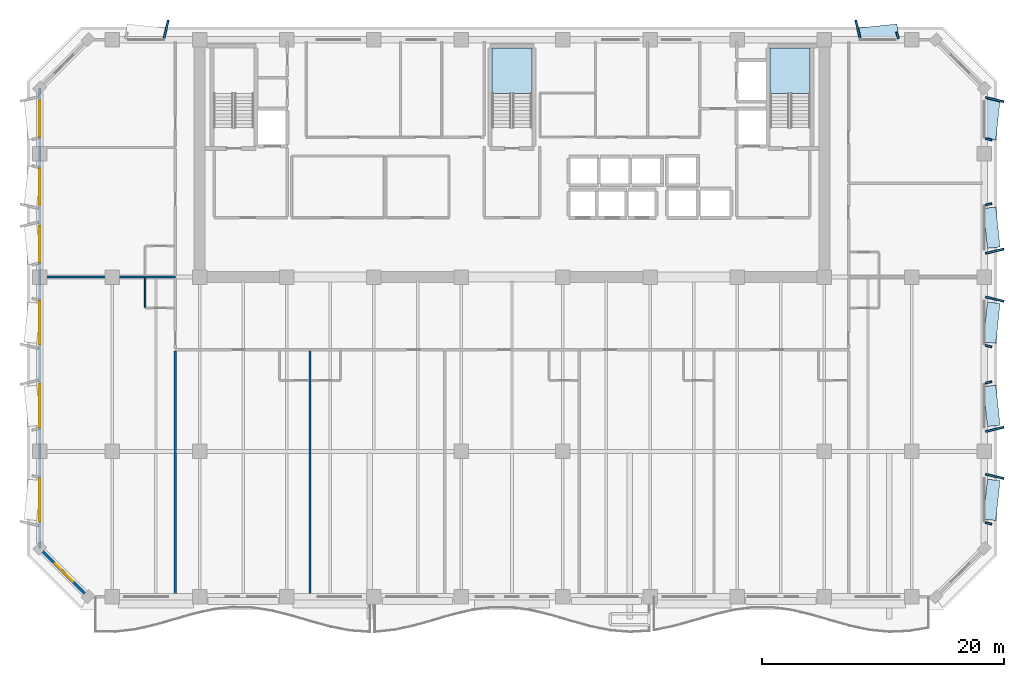
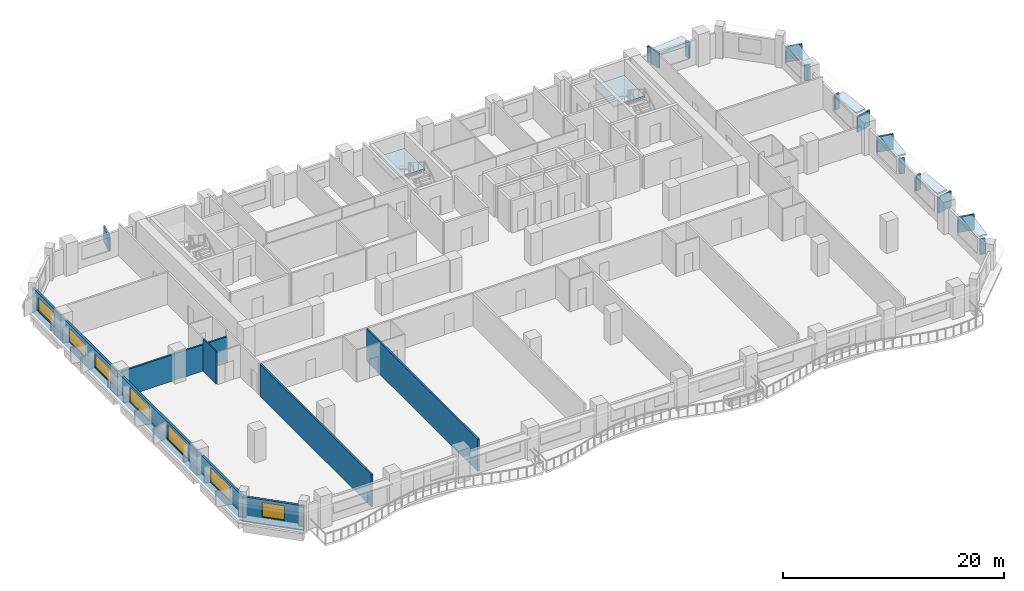
# One storey, part 3 of 14: 19 plates, 7 windows, 6 walls, 2 slabs, 7 openings, 2 elements without a shape of their own.
"""IFC4 building model written with IfcOpenShell, lengths in metres."""

from ifc_helpers import new_model, si_unit, direction, frame, frame_2d, origin, origin_2d, place, context, subcontext, project, spatial, polyline, rectangle, outline, extrude, material, layer, layer_set, type_object, element, fill, aggregate, save


model = new_model("IFC4")

# Units and contexts
model_context = context("Model", 3, precision=1e-05, world=origin(), true_north=direction((0.0, 1.0)))
body_context = subcontext(model_context, "Body", "Model", "MODEL_VIEW")
ifc_project = project(units=[si_unit("LENGTHUNIT", "METRE"), si_unit("AREAUNIT", "SQUARE_METRE"), si_unit("VOLUMEUNIT", "CUBIC_METRE"), si_unit("PLANEANGLEUNIT", "RADIAN"), si_unit("MASSUNIT", "GRAM", prefix="KILO")], contexts=[model_context])

# Site, building, storey
site_placement = place(None, origin())
site = spatial("IfcSite", under=ifc_project, at=site_placement, CompositionType="ELEMENT")
building_placement = place(site_placement, origin())
building = spatial("IfcBuilding", under=site, at=building_placement, Name="Kaelvorn Grand Hotel", CompositionType="ELEMENT")
storey_placement = place(building_placement, frame((0.0, 0.0, 205.35009765625)))
storey = spatial("IfcBuildingStorey", under=building, at=storey_placement, Name="L50", CompositionType="ELEMENT", Elevation=205.35009765625)

# Plates
ifc_material_1 = material(Name="Precast concrete C45/55", Category="concrete")
ifc_layer_1 = layer(ifc_material_1, 0.159912109375)
ifc_layer_set_1 = layer_set([ifc_layer_1], Name="Precast concrete C45/55")
plate_type_1 = type_object("IfcPlateType", Name="PL-FRAME-DEEP-1550", PredefinedType="USERDEFINED", material=ifc_layer_set_1)
for number, where, z_axis, x_axis, name in (
    (1, (81.85498046875, 12.93994140625, 0.81494140625), (0.0, 0.0, 1.0), (0.233445363856, 0.972369920398, 0.0), "L50 Tilted Precast Window Frame Fin R-E01"),
    (2, (81.85498046875, 16.824951171875, 0.81494140625), (0.0, 0.0, 1.0), (-0.233445363856, 0.972369920398, 0.0), "L50 Tilted Precast Window Frame Fin L-E02"),
    (3, (81.85498046875, 27.574951171875, 0.81494140625), (0.0, 0.0, 1.0), (0.233445363856, 0.972369920398, 0.0), "L50 Tilted Precast Window Frame Fin R-E03"),
    (4, (81.85498046875, 31.534912109375, 0.81494140625), (0.0, 0.0, 1.0), (-0.233445363856, 0.972369920398, 0.0), "L50 Tilted Precast Window Frame Fin L-E04"),
    (5, (81.85498046875, 44.054931640625, 0.73974609375), (0.0, 0.0, 1.0), (0.233445363856, 0.972369920398, 0.0), "L50 Tilted Precast Window Frame Fin R-E05"),
    (6, (13.43994140625, 49.85498046875, 0.73974609375), (0.0, 0.0, 1.0), (0.972369920398, -0.233445363856, 0.0), "L50 Tilted Precast Window Frame Fin R-N01"),
    (7, (70.56005859375, 49.85498046875, 0.73974609375), (0.0, 0.0, 1.0), (0.972369920398, 0.233445363856, 0.0), "L50 Tilted Precast Window Frame Fin L-N02"),
):
    element("IfcPlate", number, at=place(storey_placement, frame(where, z_axis=z_axis, x_axis=x_axis)), inside=storey, type_object=plate_type_1, Name=name, ObjectType="FLANGE_PLATE", PredefinedType="USERDEFINED", context=body_context, shape_type="SweptSolid", body=[
        extrude(rectangle(XDim=0.159912109375, YDim=1.550048828125, at=origin_2d()), origin(), (0.0, 0.0, 1.0), 1.719970703125),
    ])
ifc_layer_2 = layer(ifc_material_1, 0.159912109375)
ifc_layer_set_2 = layer_set([ifc_layer_2], Name="Precast concrete C45/55")
plate_type_2 = type_object("IfcPlateType", Name="PL-FRAME-HEAD-1050", PredefinedType="USERDEFINED", material=ifc_layer_set_2)
for number, where, z_axis, x_axis, name in (
    (8, (81.60498046875, 11.0, 2.5), (0.0, 0.0, 1.0), (0.105830199459, 0.994384215926, 0.0), "L50 Precast Window Frame Head Hood H-E01"),
    (9, (81.60498046875, 18.764892578125, 2.5), (0.0, 0.0, 1.0), (-0.105830199459, 0.994384215926, 0.0), "L50 Precast Window Frame Head Hood H-E02"),
    (10, (81.60498046875, 25.635009765625, 2.5), (0.0, 0.0, 1.0), (0.105830199459, 0.994384215926, 0.0), "L50 Precast Window Frame Head Hood H-E03"),
    (11, (81.60498046875, 33.47509765625, 2.5), (0.0, 0.0, 1.0), (-0.105830199459, 0.994384215926, 0.0), "L50 Precast Window Frame Head Hood H-E04"),
    (12, (81.60498046875, 42.4150390625, 2.35009765625), (0.0, 0.0, 1.0), (0.105830199459, 0.994384215926, 0.0), "L50 Precast Window Frame Head Hood H-E05"),
    (13, (72.199951171875, 49.60498046875, 2.35009765625), (0.0, 0.0, 1.0), (0.994384215926, 0.105830199459, 0.0), "L50 Precast Window Frame Head Hood H-N02"),
):
    element("IfcPlate", number, at=place(storey_placement, frame(where, z_axis=z_axis, x_axis=x_axis)), inside=storey, type_object=plate_type_2, Name=name, ObjectType="FLANGE_PLATE", PredefinedType="USERDEFINED", context=body_context, shape_type="SweptSolid", body=[
        extrude(rectangle(XDim=3.320068359375, YDim=1.050048828125, at=origin_2d()), origin(), (0.0, 0.0, 1.0), 0.159912109375),
    ])
ifc_layer_3 = layer(ifc_material_1, 0.159912109375)
ifc_layer_set_3 = layer_set([ifc_layer_3], Name="Precast concrete C45/55")
plate_type_3 = type_object("IfcPlateType", Name="PL-FRAME-SHAL-550", PredefinedType="USERDEFINED", material=ifc_layer_set_3)
for number, where, z_axis, x_axis, name in (
    (14, (81.35498046875, 9.06005859375, 0.81494140625), (0.0, 0.0, 1.0), (0.233445363856, 0.972369920398, 0.0), "L50 Tilted Precast Window Frame Fin L-E01"),
    (15, (81.35498046875, 20.705078125, 0.81494140625), (0.0, 0.0, 1.0), (-0.233445363856, 0.972369920398, 0.0), "L50 Tilted Precast Window Frame Fin R-E02"),
    (16, (81.35498046875, 23.695068359375, 0.81494140625), (0.0, 0.0, 1.0), (0.233445363856, 0.972369920398, 0.0), "L50 Tilted Precast Window Frame Fin L-E03"),
    (17, (81.35498046875, 35.4150390625, 0.81494140625), (0.0, 0.0, 1.0), (-0.233445363856, 0.972369920398, 0.0), "L50 Tilted Precast Window Frame Fin R-E04"),
    (18, (81.35498046875, 40.77490234375, 0.73974609375), (0.0, 0.0, 1.0), (0.233445363856, 0.972369920398, 0.0), "L50 Tilted Precast Window Frame Fin L-E05"),
    (19, (73.840087890625, 49.35498046875, 0.73974609375), (0.0, 0.0, 1.0), (0.972369920398, 0.233445363856, 0.0), "L50 Tilted Precast Window Frame Fin R-N02"),
):
    element("IfcPlate", number, at=place(storey_placement, frame(where, z_axis=z_axis, x_axis=x_axis)), inside=storey, type_object=plate_type_3, Name=name, ObjectType="FLANGE_PLATE", PredefinedType="USERDEFINED", context=body_context, shape_type="SweptSolid", body=[
        extrude(rectangle(XDim=0.159912109375, YDim=0.550048828125, at=origin_2d()), origin(), (0.0, 0.0, 1.0), 1.719970703125),
    ])

# Stair, slab
ifc_material_2 = material(Name="Concrete C40/50", Category="concrete")
stair_type = type_object("IfcStairType", Name="STR-DOG-1560-R08", PredefinedType="HALF_TURN_STAIR", material=ifc_material_2)
stair_1_placement = place(storey_placement, origin())
stair_1 = element("IfcStair", 20, at=stair_1_placement, inside=storey, type_object=stair_type, Name="L50 Central Core Exit Stair ST2", PredefinedType="HALF_TURN_STAIR")
ifc_layer_4 = layer(ifc_material_2, 0.199951171875)
ifc_layer_set_4 = layer_set([ifc_layer_4], Name="Concrete C40/50")
slab_type = type_object("IfcSlabType", Name="SLB-LAND-200-C40", PredefinedType="LANDING", material=ifc_layer_set_4)
slab_1_placement = place(storey_placement, frame((0.0, 0.0, 1.699951171875)))
slab_1 = element("IfcSlab", 21, at=slab_1_placement, type_object=slab_type, Name="ST2 landing 1", PredefinedType="LANDING", context=body_context, shape_type="SweptSolid", body=[
    extrude(outline(polyline([(43.639892578125, 44.56005859375), (43.639892578125, 48.300048828125), (40.360107421875, 48.300048828125), (40.360107421875, 44.56005859375), (43.639892578125, 44.56005859375)])), origin(), (0.0, 0.0, 1.0), 0.199951171875),
])
aggregate(stair_1, [slab_1])

stair_2_placement = place(storey_placement, origin())
stair_2 = element("IfcStair", 22, at=stair_2_placement, inside=storey, type_object=stair_type, Name="L50 East Core Exit Stair ST3", PredefinedType="HALF_TURN_STAIR")
slab_2_placement = place(storey_placement, frame((0.0, 0.0, 1.699951171875)))
slab_2 = element("IfcSlab", 23, at=slab_2_placement, type_object=slab_type, Name="ST3 landing 1", PredefinedType="LANDING", context=body_context, shape_type="SweptSolid", body=[
    extrude(outline(polyline([(66.60009765625, 44.56005859375), (66.60009765625, 48.300048828125), (63.320068359375, 48.300048828125), (63.320068359375, 44.56005859375), (66.60009765625, 44.56005859375)])), origin(), (0.0, 0.0, 1.0), 0.199951171875),
])
aggregate(stair_2, [slab_2])

# Wall, openings, windows
ifc_layer_5 = layer(ifc_material_2, 0.239990234375)
ifc_layer_set_5 = layer_set([ifc_layer_5], Name="Concrete C40/50")
wall_type_1 = type_object("IfcWallType", Name="WL-EXT-240-C40", PredefinedType="SOLIDWALL", material=ifc_layer_set_5)
wall_1_placement = place(storey_placement, frame((3.0, 45.0, 0.0), z_axis=(0.0, 0.0, 1.0), x_axis=(0.0, -1.0, 0.0)))
wall_1 = element("IfcWall", 24, at=wall_1_placement, inside=storey, type_object=wall_type_1, Name="L50 Exterior Architectural Concrete Wall 07", PredefinedType="SOLIDWALL", context=body_context, shape_type="SweptSolid", body=[
    extrude(rectangle(XDim=38.0, YDim=0.239990234375, at=frame_2d((19.0, 0.0))), origin(), (0.0, 0.0, 1.0), 2.760009765625),
])
opening_1_placement = place(wall_1_placement, frame((32.199951171875, 0.0, 0.85009765625)))
opening_1 = element("IfcOpeningElement", 25, at=opening_1_placement, cuts=wall_1, Name="Opening W3", PredefinedType="OPENING", context=body_context, shape_type="SweptSolid", body=[
    extrude(rectangle(XDim=3.60009765625, YDim=1.64990234375, at=frame_2d((1.800048828125, 0.824951171875))), frame((0.0, 0.1298828125, 0.0), z_axis=(0.0, -1.0, 0.0), x_axis=(1.0, 0.0, 0.0)), (0.0, 0.0, 1.0), 0.260009765625),
])
opening_2_placement = place(wall_1_placement, frame((24.43505859375, 0.0, 0.85009765625)))
opening_2 = element("IfcOpeningElement", 26, at=opening_2_placement, cuts=wall_1, Name="Opening W3", PredefinedType="OPENING", context=body_context, shape_type="SweptSolid", body=[
    extrude(rectangle(XDim=3.60009765625, YDim=1.64990234375, at=frame_2d((1.800048828125, 0.824951171875))), frame((0.0, 0.1298828125, 0.0), z_axis=(0.0, -1.0, 0.0), x_axis=(1.0, 0.0, 0.0)), (0.0, 0.0, 1.0), 0.260009765625),
])
opening_3_placement = place(wall_1_placement, frame((17.56494140625, 0.0, 0.85009765625)))
opening_3 = element("IfcOpeningElement", 27, at=opening_3_placement, cuts=wall_1, Name="Opening W3", PredefinedType="OPENING", context=body_context, shape_type="SweptSolid", body=[
    extrude(rectangle(XDim=3.60009765625, YDim=1.64990234375, at=frame_2d((1.800048828125, 0.824951171875))), frame((0.0, 0.1298828125, 0.0), z_axis=(0.0, -1.0, 0.0), x_axis=(1.0, 0.0, 0.0)), (0.0, 0.0, 1.0), 0.260009765625),
])
opening_4_placement = place(wall_1_placement, frame((11.385009765625, 0.0, 0.85009765625)))
opening_4 = element("IfcOpeningElement", 28, at=opening_4_placement, cuts=wall_1, Name="Opening W5", PredefinedType="OPENING", context=body_context, shape_type="SweptSolid", body=[
    extrude(rectangle(XDim=3.0, YDim=1.5, at=frame_2d((1.5, 0.75))), frame((0.0, 0.1298828125, 0.0), z_axis=(0.0, -1.0, 0.0), x_axis=(1.0, 0.0, 0.0)), (0.0, 0.0, 1.0), 0.260009765625),
])
opening_5_placement = place(wall_1_placement, frame((6.614990234375, 0.0, 0.85009765625)))
opening_5 = element("IfcOpeningElement", 29, at=opening_5_placement, cuts=wall_1, Name="Opening W5", PredefinedType="OPENING", context=body_context, shape_type="SweptSolid", body=[
    extrude(rectangle(XDim=3.0, YDim=1.5, at=frame_2d((1.5, 0.75))), frame((0.0, 0.1298828125, 0.0), z_axis=(0.0, -1.0, 0.0), x_axis=(1.0, 0.0, 0.0)), (0.0, 0.0, 1.0), 0.260009765625),
])
opening_6_placement = place(wall_1_placement, frame((1.034912109375, 0.0, 0.85009765625)))
opening_6 = element("IfcOpeningElement", 30, at=opening_6_placement, cuts=wall_1, Name="Opening W5", PredefinedType="OPENING", context=body_context, shape_type="SweptSolid", body=[
    extrude(rectangle(XDim=3.0, YDim=1.5, at=frame_2d((1.5, 0.75))), frame((0.0, 0.1298828125, 0.0), z_axis=(0.0, -1.0, 0.0), x_axis=(1.0, 0.0, 0.0)), (0.0, 0.0, 1.0), 0.260009765625),
])
ifc_material_3 = material(Name="Laminated Low-E Glass", Category="glass")
window_type_1 = type_object("IfcWindowType", Name="WIN-NTH-3000x1500", PartitioningType="SINGLE_PANEL", PredefinedType="WINDOW", material=ifc_material_3)
window_1_placement = place(opening_4_placement, origin())
window_1 = element("IfcWindow", 31, at=window_1_placement, inside=storey, type_object=window_type_1, Name="L50 W Wing Tilted-Frame Ribbon Window W04", OverallHeight=1.5, OverallWidth=3.0, PartitioningType="SINGLE_PANEL", PredefinedType="WINDOW", context=body_context, shape_type="SweptSolid", body=[
    extrude(rectangle(XDim=3.0, YDim=1.5, at=frame_2d((1.5, 0.75))), frame((0.0, 0.030029296875, 0.0), z_axis=(0.0, -1.0, 0.0), x_axis=(1.0, 0.0, 0.0)), (0.0, 0.0, 1.0), 0.06005859375),
])
fill(opening_4, window_1)
window_2_placement = place(opening_5_placement, origin())
window_2 = element("IfcWindow", 32, at=window_2_placement, inside=storey, type_object=window_type_1, Name="L50 W Wing Tilted-Frame Ribbon Window W05", OverallHeight=1.5, OverallWidth=3.0, PartitioningType="SINGLE_PANEL", PredefinedType="WINDOW", context=body_context, shape_type="SweptSolid", body=[
    extrude(rectangle(XDim=3.0, YDim=1.5, at=frame_2d((1.5, 0.75))), frame((0.0, 0.030029296875, 0.0), z_axis=(0.0, -1.0, 0.0), x_axis=(1.0, 0.0, 0.0)), (0.0, 0.0, 1.0), 0.06005859375),
])
fill(opening_5, window_2)
window_3_placement = place(opening_6_placement, origin())
window_3 = element("IfcWindow", 33, at=window_3_placement, inside=storey, type_object=window_type_1, Name="L50 W Wing Tilted-Frame Ribbon Window W06", OverallHeight=1.5, OverallWidth=3.0, PartitioningType="SINGLE_PANEL", PredefinedType="WINDOW", context=body_context, shape_type="SweptSolid", body=[
    extrude(rectangle(XDim=3.0, YDim=1.5, at=frame_2d((1.5, 0.75))), frame((0.0, 0.030029296875, 0.0), z_axis=(0.0, -1.0, 0.0), x_axis=(1.0, 0.0, 0.0)), (0.0, 0.0, 1.0), 0.06005859375),
])
fill(opening_6, window_3)
window_type_2 = type_object("IfcWindowType", Name="WIN-RIB-3600x1750", PartitioningType="SINGLE_PANEL", PredefinedType="WINDOW", material=ifc_material_3)
window_4_placement = place(opening_1_placement, origin())
window_4 = element("IfcWindow", 34, at=window_4_placement, inside=storey, type_object=window_type_2, Name="L50 W Wing Tilted-Frame Ribbon Window W01", OverallHeight=1.64990234375, OverallWidth=3.60009765625, PartitioningType="SINGLE_PANEL", PredefinedType="WINDOW", context=body_context, shape_type="SweptSolid", body=[
    extrude(rectangle(XDim=3.60009765625, YDim=1.64990234375, at=frame_2d((1.800048828125, 0.824951171875))), frame((0.0, 0.030029296875, 0.0), z_axis=(0.0, -1.0, 0.0), x_axis=(1.0, 0.0, 0.0)), (0.0, 0.0, 1.0), 0.06005859375),
])
fill(opening_1, window_4)
window_5_placement = place(opening_2_placement, origin())
window_5 = element("IfcWindow", 35, at=window_5_placement, inside=storey, type_object=window_type_2, Name="L50 W Wing Tilted-Frame Ribbon Window W02", OverallHeight=1.64990234375, OverallWidth=3.60009765625, PartitioningType="SINGLE_PANEL", PredefinedType="WINDOW", context=body_context, shape_type="SweptSolid", body=[
    extrude(rectangle(XDim=3.60009765625, YDim=1.64990234375, at=frame_2d((1.800048828125, 0.824951171875))), frame((0.0, 0.030029296875, 0.0), z_axis=(0.0, -1.0, 0.0), x_axis=(1.0, 0.0, 0.0)), (0.0, 0.0, 1.0), 0.06005859375),
])
fill(opening_2, window_5)
window_6_placement = place(opening_3_placement, origin())
window_6 = element("IfcWindow", 36, at=window_6_placement, inside=storey, type_object=window_type_2, Name="L50 W Wing Tilted-Frame Ribbon Window W03", OverallHeight=1.64990234375, OverallWidth=3.60009765625, PartitioningType="SINGLE_PANEL", PredefinedType="WINDOW", context=body_context, shape_type="SweptSolid", body=[
    extrude(rectangle(XDim=3.60009765625, YDim=1.64990234375, at=frame_2d((1.800048828125, 0.824951171875))), frame((0.0, 0.030029296875, 0.0), z_axis=(0.0, -1.0, 0.0), x_axis=(1.0, 0.0, 0.0)), (0.0, 0.0, 1.0), 0.06005859375),
])
fill(opening_3, window_6)

# Wall, opening, window
wall_2_placement = place(storey_placement, frame((3.0, 7.0, 0.0), z_axis=(0.0, 0.0, 1.0), x_axis=(0.707106781187, -0.707106781187, 0.0)))
wall_2 = element("IfcWall", 37, at=wall_2_placement, inside=storey, type_object=wall_type_1, Name="L50 Exterior Architectural Concrete Wall 08", PredefinedType="SOLIDWALL", context=body_context, shape_type="SweptSolid", body=[
    extrude(rectangle(XDim=5.65673828125, YDim=0.239990234375, at=frame_2d((2.828369140625, 0.0))), origin(), (0.0, 0.0, 1.0), 2.760009765625),
])
opening_7_placement = place(wall_2_placement, frame((1.7783203125, 0.0, 0.85009765625)))
opening_7 = element("IfcOpeningElement", 38, at=opening_7_placement, cuts=wall_2, Name="Opening W7", PredefinedType="OPENING", context=body_context, shape_type="SweptSolid", body=[
    extrude(rectangle(XDim=2.10009765625, YDim=1.60009765625, at=frame_2d((1.050048828125, 0.800048828125))), frame((0.0, 0.1298828125, 0.0), z_axis=(0.0, -1.0, 0.0), x_axis=(1.0, 0.0, 0.0)), (0.0, 0.0, 1.0), 0.260009765625),
])
window_type_3 = type_object("IfcWindowType", Name="WIN-CHM-2100x1600", PartitioningType="SINGLE_PANEL", PredefinedType="WINDOW", material=ifc_material_3)
window_7_placement = place(opening_7_placement, origin())
window_7 = element("IfcWindow", 39, at=window_7_placement, inside=storey, type_object=window_type_3, Name="L50 Chamfered 45-Degree Corner Window SW", OverallHeight=1.60009765625, OverallWidth=2.10009765625, PartitioningType="SINGLE_PANEL", PredefinedType="WINDOW", context=body_context, shape_type="SweptSolid", body=[
    extrude(rectangle(XDim=2.10009765625, YDim=1.60009765625, at=frame_2d((1.050048828125, 0.800048828125))), frame((0.0, 0.030029296875, 0.0), z_axis=(0.0, -1.0, 0.0), x_axis=(1.0, 0.0, 0.0)), (0.0, 0.0, 1.0), 0.06005859375),
])
fill(opening_7, window_7)

# Walls
ifc_material_4 = material(Name="Moisture-Resistant Tile & Stud Board")
ifc_layer_6 = layer(ifc_material_4, 0.125)
ifc_layer_set_6 = layer_set([ifc_layer_6], Name="Moisture-Resistant Tile & Stud Board")
wall_type_2 = type_object("IfcWallType", Name="WL-PART-125-WET", PredefinedType="PARTITIONING", material=ifc_layer_set_6)
wall_3_placement = place(storey_placement, frame((11.699951171875, 26.91748046875, 0.0), z_axis=(0.0, 0.0, 1.0), x_axis=(0.0, 1.0, 0.0)))
element("IfcWall", 40, at=wall_3_placement, inside=storey, type_object=wall_type_2, Name="L50 En-suite Bathroom L50-06 W Partition", PredefinedType="PARTITIONING", context=body_context, shape_type="SweptSolid", body=[
    extrude(rectangle(XDim=2.387451171875, YDim=0.125, at=frame_2d((1.19384765625, 0.0))), origin(), (0.0, 0.0, 1.0), 3.559814453125),
])
ifc_material_5 = material(Name="Acoustic Gypsum & Stud Partition")
ifc_layer_7 = layer(ifc_material_5, 0.179931640625)
ifc_layer_set_7 = layer_set([ifc_layer_7], Name="Acoustic Gypsum & Stud Partition")
wall_type_3 = type_object("IfcWallType", Name="WL-PART-180-EI60", PredefinedType="PARTITIONING", material=ifc_layer_set_7)
for number, where, z_axis, x_axis, name in (
    (41, (14.199951171875, 3.14990234375, 0.0), (0.0, 0.0, 1.0), (0.0, 1.0, 0.0), "L50 Mid-Rise Signature Suite L50-01 W Partition"),
    (42, (25.320068359375, 3.14990234375, 0.0), (0.0, 0.0, 1.0), (0.0, 1.0, 0.0), "L50 Mid-Rise Signature Suite L50-01 E Partition"),
):
    element("IfcWall", number, at=place(storey_placement, frame(where, z_axis=z_axis, x_axis=x_axis)), inside=storey, type_object=wall_type_3, Name=name, PredefinedType="PARTITIONING", context=body_context, shape_type="SweptSolid", body=[
        extrude(rectangle(XDim=20.155029296875, YDim=0.179931640625, at=frame_2d((10.07763671875, 0.0))), origin(), (0.0, 0.0, 1.0), 3.559814453125),
    ])
wall_4_placement = place(storey_placement, frame((3.14990234375, 29.39990234375, 0.0), z_axis=(0.0, 0.0, 1.0), x_axis=(1.0, 0.0, 0.0)))
element("IfcWall", 43, at=wall_4_placement, inside=storey, type_object=wall_type_3, Name="L50 Presidential Sky Suite L50-06 N Partition", PredefinedType="PARTITIONING", context=body_context, shape_type="SweptSolid", body=[
    extrude(rectangle(XDim=11.050048828125, YDim=0.179931640625, at=frame_2d((5.52490234375, 0.0))), origin(), (0.0, 0.0, 1.0), 2.909912109375),
])

save(model, "model.ifc")
